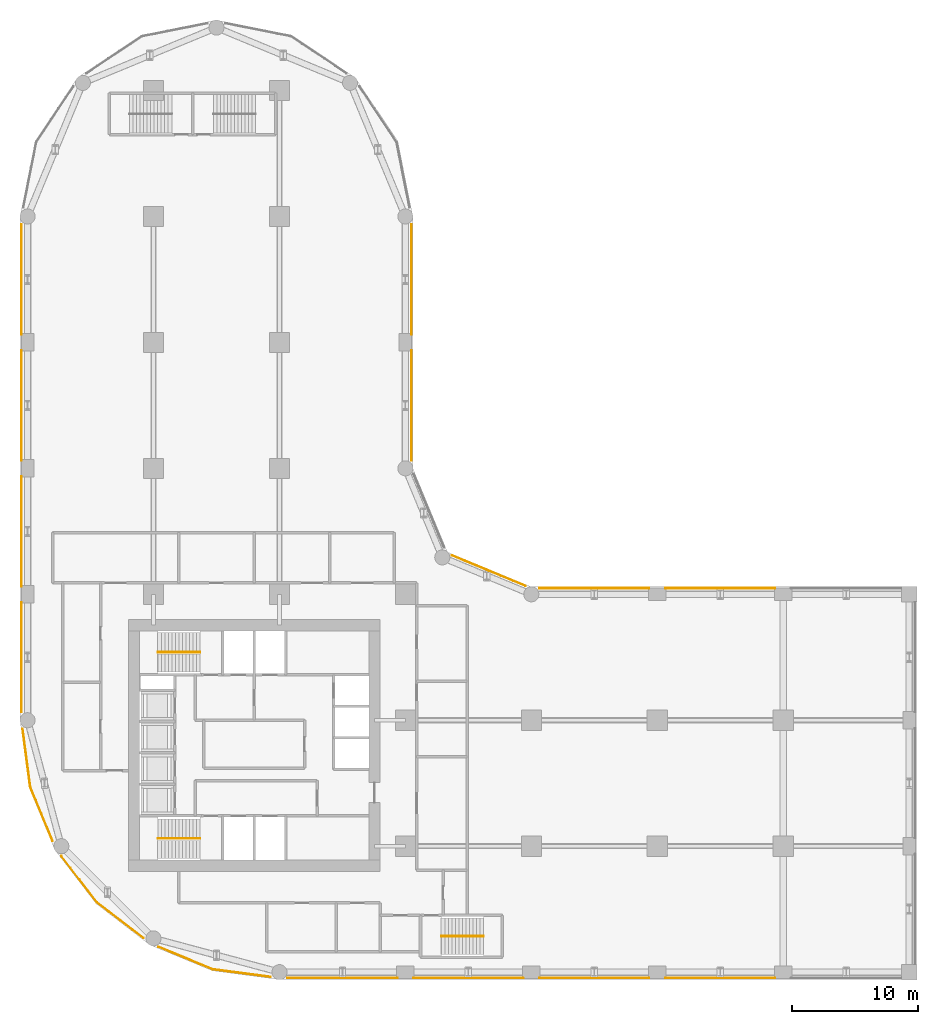
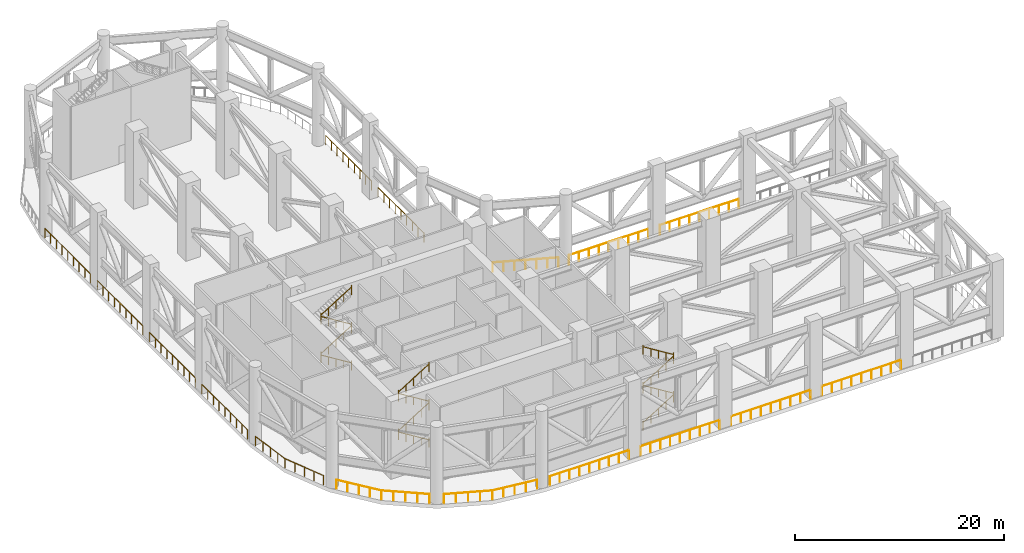
# One storey, part 12 of 14: 28 railings.
"""IFC4 building model written with IfcOpenShell, lengths in metres."""

from ifc_helpers import new_model, si_unit, direction, frame, origin, origin_2d, place, context, subcontext, project, spatial, circle, extrude, material, type_object, element, save


model = new_model("IFC4")

# Units and contexts
model_context = context("Model", 3, precision=1e-05, world=origin(), true_north=direction((0.0, 1.0)))
body_context = subcontext(model_context, "Body", "Model", "MODEL_VIEW")
ifc_project = project(units=[si_unit("LENGTHUNIT", "METRE"), si_unit("AREAUNIT", "SQUARE_METRE"), si_unit("VOLUMEUNIT", "CUBIC_METRE"), si_unit("PLANEANGLEUNIT", "RADIAN"), si_unit("MASSUNIT", "GRAM", prefix="KILO")], contexts=[model_context])

# Site, building, storey
site_placement = place(None, origin())
site = spatial("IfcSite", under=ifc_project, at=site_placement, CompositionType="ELEMENT")
building_placement = place(site_placement, origin())
building = spatial("IfcBuilding", under=site, at=building_placement, Name="Qaws Garden Tower", CompositionType="ELEMENT")
storey_placement = place(building_placement, frame((0.0, 0.0, 117.300048828125)))
storey = spatial("IfcBuildingStorey", under=building, at=storey_placement, Name="L29", CompositionType="ELEMENT", Elevation=117.300048828125)

# Railings
ifc_material_1 = material(Name="Steel S355", Category="steel")
railing_type_1 = type_object("IfcRailingType", Name="Guard steel balustrade 1100", PredefinedType="GUARDRAIL", material=ifc_material_1)
for number, where, name in (
    (1, (29.361083984375, -0.47998046875, 0.0), "Wind floor edge guard"),
    (2, (39.361083984375, -0.47998046875, 0.0), "Wind floor edge guard"),
    (3, (49.361083984375, -0.47998046875, 0.0), "Wind floor edge guard"),
    (4, (59.361083984375, -0.47998046875, 0.0), "Wind floor edge guard"),
):
    element("IfcRailing", number, at=place(storey_placement, frame(where)), inside=storey, type_object=railing_type_1, Name=name, PredefinedType="GUARDRAIL", context=body_context, shape_type="SweptSolid", body=[
        extrude(circle(Radius=0.02392578125, at=origin_2d()), frame((0.0, 0.0, 1.076171875), z_axis=(-1.0, 0.0, 0.0), x_axis=(0.0, -1.0, 0.0)), (0.0, 0.0, 1.0), 8.72216796875),
        extrude(circle(Radius=0.02099609375, at=origin_2d()), origin(), (0.0, 0.0, 1.0), 1.052001953125),
        extrude(circle(Radius=0.02099609375, at=origin_2d()), frame((-1.09033203125, 0.0, 0.0)), (0.0, 0.0, 1.0), 1.052001953125),
        extrude(circle(Radius=0.02099609375, at=origin_2d()), frame((-2.1806640625, 0.0, 0.0)), (0.0, 0.0, 1.0), 1.052001953125),
        extrude(circle(Radius=0.02099609375, at=origin_2d()), frame((-3.270751953125, 0.0, 0.0)), (0.0, 0.0, 1.0), 1.052001953125),
        extrude(circle(Radius=0.02099609375, at=origin_2d()), frame((-4.361083984375, 0.0, 0.0)), (0.0, 0.0, 1.0), 1.052001953125),
        extrude(circle(Radius=0.02099609375, at=origin_2d()), frame((-5.451416015625, 0.0, 0.0)), (0.0, 0.0, 1.0), 1.052001953125),
        extrude(circle(Radius=0.02099609375, at=origin_2d()), frame((-6.54150390625, 0.0, 0.0)), (0.0, 0.0, 1.0), 1.052001953125),
        extrude(circle(Radius=0.02099609375, at=origin_2d()), frame((-7.6318359375, 0.0, 0.0)), (0.0, 0.0, 1.0), 1.052001953125),
        extrude(circle(Radius=0.02099609375, at=origin_2d()), frame((-8.72216796875, 0.0, 0.0)), (0.0, 0.0, 1.0), 1.052001953125),
    ])
railing_1_placement = place(storey_placement, frame((19.30029296875, -0.38671875, 0.0)))
element("IfcRailing", 5, at=railing_1_placement, inside=storey, type_object=railing_type_1, Name="Wind floor edge guard", PredefinedType="GUARDRAIL", context=body_context, shape_type="SweptSolid", body=[
    extrude(circle(Radius=0.02392578125, at=origin_2d()), frame((0.0, 0.0, 1.076171875), z_axis=(-0.991450713576, 0.130481732629, 0.0), x_axis=(-0.130481732629, -0.991450713576, 0.0)), (0.0, 0.0, 1.0), 4.64013671875),
    extrude(circle(Radius=0.02392578125, at=origin_2d()), frame((-4.6005859375, 0.60546875, 1.076171875), z_axis=(-0.923868718314, 0.382709539103, 0.0), x_axis=(-0.382709539103, -0.923868718314, 0.0)), (0.0, 0.0, 1.0), 4.640869140625),
    extrude(circle(Radius=0.02099609375, at=origin_2d()), origin(), (0.0, 0.0, 1.0), 1.052001953125),
    extrude(circle(Radius=0.02099609375, at=origin_2d()), frame((-1.150146484375, 0.1513671875, 0.0)), (0.0, 0.0, 1.0), 1.052001953125),
    extrude(circle(Radius=0.02099609375, at=origin_2d()), frame((-2.30029296875, 0.302734375, 0.0)), (0.0, 0.0, 1.0), 1.052001953125),
    extrude(circle(Radius=0.02099609375, at=origin_2d()), frame((-3.450439453125, 0.4541015625, 0.0)), (0.0, 0.0, 1.0), 1.052001953125),
    extrude(circle(Radius=0.02099609375, at=origin_2d()), frame((-4.6005859375, 0.60546875, 0.0)), (0.0, 0.0, 1.0), 1.052001953125),
    extrude(circle(Radius=0.02099609375, at=origin_2d()), frame((-5.67236328125, 1.049560546875, 0.0)), (0.0, 0.0, 1.0), 1.052001953125),
    extrude(circle(Radius=0.02099609375, at=origin_2d()), frame((-6.744384765625, 1.49365234375, 0.0)), (0.0, 0.0, 1.0), 1.052001953125),
    extrude(circle(Radius=0.02099609375, at=origin_2d()), frame((-7.81640625, 1.9375, 0.0)), (0.0, 0.0, 1.0), 1.052001953125),
    extrude(circle(Radius=0.02099609375, at=origin_2d()), frame((-8.88818359375, 2.381591796875, 0.0)), (0.0, 0.0, 1.0), 1.052001953125),
])
railing_2_placement = place(storey_placement, frame((9.20068359375, 2.694091796875, 0.0)))
element("IfcRailing", 6, at=railing_2_placement, inside=storey, type_object=railing_type_1, Name="Wind floor edge guard", PredefinedType="GUARDRAIL", context=body_context, shape_type="SweptSolid", body=[
    extrude(circle(Radius=0.02392578125, at=origin_2d()), frame((0.0, 0.0, 1.076171875), z_axis=(-0.79331582627, 0.608810315114, 0.0), x_axis=(-0.608810315114, -0.79331582627, 0.0)), (0.0, 0.0, 1.0), 4.640625),
    extrude(circle(Radius=0.02392578125, at=origin_2d()), frame((-3.681396484375, 2.8251953125, 1.076171875), z_axis=(-0.608810315114, 0.79331582627, 0.0), x_axis=(-0.79331582627, -0.608810315114, 0.0)), (0.0, 0.0, 1.0), 4.640625),
    extrude(circle(Radius=0.02099609375, at=origin_2d()), origin(), (0.0, 0.0, 1.0), 1.052001953125),
    extrude(circle(Radius=0.02099609375, at=origin_2d()), frame((-0.92041015625, 0.706298828125, 0.0)), (0.0, 0.0, 1.0), 1.052001953125),
    extrude(circle(Radius=0.02099609375, at=origin_2d()), frame((-1.8408203125, 1.41259765625, 0.0)), (0.0, 0.0, 1.0), 1.052001953125),
    extrude(circle(Radius=0.02099609375, at=origin_2d()), frame((-2.760986328125, 2.118896484375, 0.0)), (0.0, 0.0, 1.0), 1.052001953125),
    extrude(circle(Radius=0.02099609375, at=origin_2d()), frame((-3.681396484375, 2.8251953125, 0.0)), (0.0, 0.0, 1.0), 1.052001953125),
    extrude(circle(Radius=0.02099609375, at=origin_2d()), frame((-4.3876953125, 3.74560546875, 0.0)), (0.0, 0.0, 1.0), 1.052001953125),
    extrude(circle(Radius=0.02099609375, at=origin_2d()), frame((-5.093994140625, 4.666015625, 0.0)), (0.0, 0.0, 1.0), 1.052001953125),
    extrude(circle(Radius=0.02099609375, at=origin_2d()), frame((-5.80029296875, 5.586181640625, 0.0)), (0.0, 0.0, 1.0), 1.052001953125),
    extrude(circle(Radius=0.02099609375, at=origin_2d()), frame((-6.506591796875, 6.506591796875, 0.0)), (0.0, 0.0, 1.0), 1.052001953125),
])
railing_3_placement = place(storey_placement, frame((1.994873046875, 10.412109375, 0.0)))
element("IfcRailing", 7, at=railing_3_placement, inside=storey, type_object=railing_type_1, Name="Wind floor edge guard", PredefinedType="GUARDRAIL", context=body_context, shape_type="SweptSolid", body=[
    extrude(circle(Radius=0.02392578125, at=origin_2d()), frame((0.0, 0.0, 1.076171875), z_axis=(-0.382709539103, 0.923868718314, 0.0), x_axis=(-0.923868718314, -0.382709539103, 0.0)), (0.0, 0.0, 1.0), 4.640869140625),
    extrude(circle(Radius=0.02392578125, at=origin_2d()), frame((-1.776123046875, 4.28759765625, 1.076171875), z_axis=(-0.130481732629, 0.991450713576, 0.0), x_axis=(-0.991450713576, -0.130481732629, 0.0)), (0.0, 0.0, 1.0), 4.64013671875),
    extrude(circle(Radius=0.02099609375, at=origin_2d()), origin(), (0.0, 0.0, 1.0), 1.052001953125),
    extrude(circle(Radius=0.02099609375, at=origin_2d()), frame((-0.444091796875, 1.07177734375, 0.0)), (0.0, 0.0, 1.0), 1.052001953125),
    extrude(circle(Radius=0.02099609375, at=origin_2d()), frame((-0.88818359375, 2.143798828125, 0.0)), (0.0, 0.0, 1.0), 1.052001953125),
    extrude(circle(Radius=0.02099609375, at=origin_2d()), frame((-1.33203125, 3.2158203125, 0.0)), (0.0, 0.0, 1.0), 1.052001953125),
    extrude(circle(Radius=0.02099609375, at=origin_2d()), frame((-1.776123046875, 4.28759765625, 0.0)), (0.0, 0.0, 1.0), 1.052001953125),
    extrude(circle(Radius=0.02099609375, at=origin_2d()), frame((-1.927490234375, 5.437744140625, 0.0)), (0.0, 0.0, 1.0), 1.052001953125),
    extrude(circle(Radius=0.02099609375, at=origin_2d()), frame((-2.078857421875, 6.587890625, 0.0)), (0.0, 0.0, 1.0), 1.052001953125),
    extrude(circle(Radius=0.02099609375, at=origin_2d()), frame((-2.230224609375, 7.738037109375, 0.0)), (0.0, 0.0, 1.0), 1.052001953125),
    extrude(circle(Radius=0.02099609375, at=origin_2d()), frame((-2.381591796875, 8.88818359375, 0.0)), (0.0, 0.0, 1.0), 1.052001953125),
])
railing_4_placement = place(storey_placement, frame((-0.47998046875, 20.638916015625, 0.0)))
element("IfcRailing", 8, at=railing_4_placement, inside=storey, type_object=railing_type_1, Name="Wind floor edge guard", PredefinedType="GUARDRAIL", context=body_context, shape_type="SweptSolid", body=[
    extrude(circle(Radius=0.02392578125, at=origin_2d()), frame((0.0, 0.0, 1.076171875), z_axis=(0.0, 1.0, 0.0), x_axis=(-1.0, 0.0, 0.0)), (0.0, 0.0, 1.0), 8.72216796875),
    extrude(circle(Radius=0.02099609375, at=origin_2d()), origin(), (0.0, 0.0, 1.0), 1.052001953125),
    extrude(circle(Radius=0.02099609375, at=origin_2d()), frame((0.0, 1.09033203125, 0.0)), (0.0, 0.0, 1.0), 1.052001953125),
    extrude(circle(Radius=0.02099609375, at=origin_2d()), frame((0.0, 2.1806640625, 0.0)), (0.0, 0.0, 1.0), 1.052001953125),
    extrude(circle(Radius=0.02099609375, at=origin_2d()), frame((0.0, 3.270751953125, 0.0)), (0.0, 0.0, 1.0), 1.052001953125),
    extrude(circle(Radius=0.02099609375, at=origin_2d()), frame((0.0, 4.361083984375, 0.0)), (0.0, 0.0, 1.0), 1.052001953125),
    extrude(circle(Radius=0.02099609375, at=origin_2d()), frame((0.0, 5.451416015625, 0.0)), (0.0, 0.0, 1.0), 1.052001953125),
    extrude(circle(Radius=0.02099609375, at=origin_2d()), frame((0.0, 6.54150390625, 0.0)), (0.0, 0.0, 1.0), 1.052001953125),
    extrude(circle(Radius=0.02099609375, at=origin_2d()), frame((0.0, 7.6318359375, 0.0)), (0.0, 0.0, 1.0), 1.052001953125),
    extrude(circle(Radius=0.02099609375, at=origin_2d()), frame((0.0, 8.72216796875, 0.0)), (0.0, 0.0, 1.0), 1.052001953125),
])
for number, where, name in (
    (9, (40.638916015625, 30.47998046875, 0.0), "Wind floor edge guard"),
    (10, (50.638916015625, 30.47998046875, 0.0), "Wind floor edge guard"),
):
    element("IfcRailing", number, at=place(storey_placement, frame(where)), inside=storey, type_object=railing_type_1, Name=name, PredefinedType="GUARDRAIL", context=body_context, shape_type="SweptSolid", body=[
        extrude(circle(Radius=0.02392578125, at=origin_2d()), frame((0.0, 0.0, 1.076171875), z_axis=(1.0, 0.0, 0.0), x_axis=(0.0, 1.0, 0.0)), (0.0, 0.0, 1.0), 8.72216796875),
        extrude(circle(Radius=0.02099609375, at=origin_2d()), origin(), (0.0, 0.0, 1.0), 1.052001953125),
        extrude(circle(Radius=0.02099609375, at=origin_2d()), frame((1.09033203125, 0.0, 0.0)), (0.0, 0.0, 1.0), 1.052001953125),
        extrude(circle(Radius=0.02099609375, at=origin_2d()), frame((2.1806640625, 0.0, 0.0)), (0.0, 0.0, 1.0), 1.052001953125),
        extrude(circle(Radius=0.02099609375, at=origin_2d()), frame((3.270751953125, 0.0, 0.0)), (0.0, 0.0, 1.0), 1.052001953125),
        extrude(circle(Radius=0.02099609375, at=origin_2d()), frame((4.361083984375, 0.0, 0.0)), (0.0, 0.0, 1.0), 1.052001953125),
        extrude(circle(Radius=0.02099609375, at=origin_2d()), frame((5.451416015625, 0.0, 0.0)), (0.0, 0.0, 1.0), 1.052001953125),
        extrude(circle(Radius=0.02099609375, at=origin_2d()), frame((6.54150390625, 0.0, 0.0)), (0.0, 0.0, 1.0), 1.052001953125),
        extrude(circle(Radius=0.02099609375, at=origin_2d()), frame((7.6318359375, 0.0, 0.0)), (0.0, 0.0, 1.0), 1.052001953125),
        extrude(circle(Radius=0.02099609375, at=origin_2d()), frame((8.72216796875, 0.0, 0.0)), (0.0, 0.0, 1.0), 1.052001953125),
    ])
railing_5_placement = place(storey_placement, frame((-0.47998046875, 30.638916015625, 0.0)))
element("IfcRailing", 11, at=railing_5_placement, inside=storey, type_object=railing_type_1, Name="Wind floor edge guard", PredefinedType="GUARDRAIL", context=body_context, shape_type="SweptSolid", body=[
    extrude(circle(Radius=0.02392578125, at=origin_2d()), frame((0.0, 0.0, 1.076171875), z_axis=(0.0, 1.0, 0.0), x_axis=(-1.0, 0.0, 0.0)), (0.0, 0.0, 1.0), 8.72216796875),
    extrude(circle(Radius=0.02099609375, at=origin_2d()), origin(), (0.0, 0.0, 1.0), 1.052001953125),
    extrude(circle(Radius=0.02099609375, at=origin_2d()), frame((0.0, 1.09033203125, 0.0)), (0.0, 0.0, 1.0), 1.052001953125),
    extrude(circle(Radius=0.02099609375, at=origin_2d()), frame((0.0, 2.1806640625, 0.0)), (0.0, 0.0, 1.0), 1.052001953125),
    extrude(circle(Radius=0.02099609375, at=origin_2d()), frame((0.0, 3.270751953125, 0.0)), (0.0, 0.0, 1.0), 1.052001953125),
    extrude(circle(Radius=0.02099609375, at=origin_2d()), frame((0.0, 4.361083984375, 0.0)), (0.0, 0.0, 1.0), 1.052001953125),
    extrude(circle(Radius=0.02099609375, at=origin_2d()), frame((0.0, 5.451416015625, 0.0)), (0.0, 0.0, 1.0), 1.052001953125),
    extrude(circle(Radius=0.02099609375, at=origin_2d()), frame((0.0, 6.54150390625, 0.0)), (0.0, 0.0, 1.0), 1.052001953125),
    extrude(circle(Radius=0.02099609375, at=origin_2d()), frame((0.0, 7.6318359375, 0.0)), (0.0, 0.0, 1.0), 1.052001953125),
    extrude(circle(Radius=0.02099609375, at=origin_2d()), frame((0.0, 8.72216796875, 0.0)), (0.0, 0.0, 1.0), 1.052001953125),
])
railing_6_placement = place(storey_placement, frame((33.71533203125, 33.0732421875, 0.0)))
element("IfcRailing", 12, at=railing_6_placement, inside=storey, type_object=railing_type_1, Name="Wind floor edge guard", PredefinedType="GUARDRAIL", context=body_context, shape_type="SweptSolid", body=[
    extrude(circle(Radius=0.02392578125, at=origin_2d()), frame((0.0, 0.0, 1.076171875), z_axis=(0.923888593297, -0.382661556961, 0.0), x_axis=(0.382661556961, 0.923888593297, 0.0)), (0.0, 0.0, 1.0), 6.311279296875),
    extrude(circle(Radius=0.02099609375, at=origin_2d()), origin(), (0.0, 0.0, 1.0), 1.052001953125),
    extrude(circle(Radius=0.02099609375, at=origin_2d()), frame((0.9716796875, -0.402587890625, 0.0)), (0.0, 0.0, 1.0), 1.052001953125),
    extrude(circle(Radius=0.02099609375, at=origin_2d()), frame((1.943603515625, -0.804931640625, 0.0)), (0.0, 0.0, 1.0), 1.052001953125),
    extrude(circle(Radius=0.02099609375, at=origin_2d()), frame((2.91552734375, -1.20751953125, 0.0)), (0.0, 0.0, 1.0), 1.052001953125),
    extrude(circle(Radius=0.02099609375, at=origin_2d()), frame((3.88720703125, -1.610107421875, 0.0)), (0.0, 0.0, 1.0), 1.052001953125),
    extrude(circle(Radius=0.02099609375, at=origin_2d()), frame((4.85888671875, -2.012451171875, 0.0)), (0.0, 0.0, 1.0), 1.052001953125),
    extrude(circle(Radius=0.02099609375, at=origin_2d()), frame((5.830810546875, -2.4150390625, 0.0)), (0.0, 0.0, 1.0), 1.052001953125),
])
railing_7_placement = place(storey_placement, frame((-0.47998046875, 40.638916015625, 0.0)))
element("IfcRailing", 13, at=railing_7_placement, inside=storey, type_object=railing_type_1, Name="Wind floor edge guard", PredefinedType="GUARDRAIL", context=body_context, shape_type="SweptSolid", body=[
    extrude(circle(Radius=0.02392578125, at=origin_2d()), frame((0.0, 0.0, 1.076171875), z_axis=(0.0, 1.0, 0.0), x_axis=(-1.0, 0.0, 0.0)), (0.0, 0.0, 1.0), 8.72216796875),
    extrude(circle(Radius=0.02099609375, at=origin_2d()), origin(), (0.0, 0.0, 1.0), 1.052001953125),
    extrude(circle(Radius=0.02099609375, at=origin_2d()), frame((0.0, 1.09033203125, 0.0)), (0.0, 0.0, 1.0), 1.052001953125),
    extrude(circle(Radius=0.02099609375, at=origin_2d()), frame((0.0, 2.1806640625, 0.0)), (0.0, 0.0, 1.0), 1.052001953125),
    extrude(circle(Radius=0.02099609375, at=origin_2d()), frame((0.0, 3.270751953125, 0.0)), (0.0, 0.0, 1.0), 1.052001953125),
    extrude(circle(Radius=0.02099609375, at=origin_2d()), frame((0.0, 4.361083984375, 0.0)), (0.0, 0.0, 1.0), 1.052001953125),
    extrude(circle(Radius=0.02099609375, at=origin_2d()), frame((0.0, 5.451416015625, 0.0)), (0.0, 0.0, 1.0), 1.052001953125),
    extrude(circle(Radius=0.02099609375, at=origin_2d()), frame((0.0, 6.54150390625, 0.0)), (0.0, 0.0, 1.0), 1.052001953125),
    extrude(circle(Radius=0.02099609375, at=origin_2d()), frame((0.0, 7.6318359375, 0.0)), (0.0, 0.0, 1.0), 1.052001953125),
    extrude(circle(Radius=0.02099609375, at=origin_2d()), frame((0.0, 8.72216796875, 0.0)), (0.0, 0.0, 1.0), 1.052001953125),
])
railing_8_placement = place(storey_placement, frame((30.47998046875, 49.361083984375, 0.0)))
element("IfcRailing", 14, at=railing_8_placement, inside=storey, type_object=railing_type_1, Name="Wind floor edge guard", PredefinedType="GUARDRAIL", context=body_context, shape_type="SweptSolid", body=[
    extrude(circle(Radius=0.02392578125, at=origin_2d()), frame((0.0, 0.0, 1.076171875), z_axis=(0.0, -1.0, 0.0), x_axis=(1.0, 0.0, 0.0)), (0.0, 0.0, 1.0), 8.72216796875),
    extrude(circle(Radius=0.02099609375, at=origin_2d()), origin(), (0.0, 0.0, 1.0), 1.052001953125),
    extrude(circle(Radius=0.02099609375, at=origin_2d()), frame((0.0, -1.09033203125, 0.0)), (0.0, 0.0, 1.0), 1.052001953125),
    extrude(circle(Radius=0.02099609375, at=origin_2d()), frame((0.0, -2.1806640625, 0.0)), (0.0, 0.0, 1.0), 1.052001953125),
    extrude(circle(Radius=0.02099609375, at=origin_2d()), frame((0.0, -3.270751953125, 0.0)), (0.0, 0.0, 1.0), 1.052001953125),
    extrude(circle(Radius=0.02099609375, at=origin_2d()), frame((0.0, -4.361083984375, 0.0)), (0.0, 0.0, 1.0), 1.052001953125),
    extrude(circle(Radius=0.02099609375, at=origin_2d()), frame((0.0, -5.451416015625, 0.0)), (0.0, 0.0, 1.0), 1.052001953125),
    extrude(circle(Radius=0.02099609375, at=origin_2d()), frame((0.0, -6.54150390625, 0.0)), (0.0, 0.0, 1.0), 1.052001953125),
    extrude(circle(Radius=0.02099609375, at=origin_2d()), frame((0.0, -7.6318359375, 0.0)), (0.0, 0.0, 1.0), 1.052001953125),
    extrude(circle(Radius=0.02099609375, at=origin_2d()), frame((0.0, -8.72216796875, 0.0)), (0.0, 0.0, 1.0), 1.052001953125),
])
railing_9_placement = place(storey_placement, frame((-0.47998046875, 50.638916015625, 0.0)))
element("IfcRailing", 15, at=railing_9_placement, inside=storey, type_object=railing_type_1, Name="Wind floor edge guard", PredefinedType="GUARDRAIL", context=body_context, shape_type="SweptSolid", body=[
    extrude(circle(Radius=0.02392578125, at=origin_2d()), frame((0.0, 0.0, 1.076171875), z_axis=(0.0, 1.0, 0.0), x_axis=(-1.0, 0.0, 0.0)), (0.0, 0.0, 1.0), 8.72216796875),
    extrude(circle(Radius=0.02099609375, at=origin_2d()), origin(), (0.0, 0.0, 1.0), 1.052001953125),
    extrude(circle(Radius=0.02099609375, at=origin_2d()), frame((0.0, 1.09033203125, 0.0)), (0.0, 0.0, 1.0), 1.052001953125),
    extrude(circle(Radius=0.02099609375, at=origin_2d()), frame((0.0, 2.1806640625, 0.0)), (0.0, 0.0, 1.0), 1.052001953125),
    extrude(circle(Radius=0.02099609375, at=origin_2d()), frame((0.0, 3.270751953125, 0.0)), (0.0, 0.0, 1.0), 1.052001953125),
    extrude(circle(Radius=0.02099609375, at=origin_2d()), frame((0.0, 4.361083984375, 0.0)), (0.0, 0.0, 1.0), 1.052001953125),
    extrude(circle(Radius=0.02099609375, at=origin_2d()), frame((0.0, 5.451416015625, 0.0)), (0.0, 0.0, 1.0), 1.052001953125),
    extrude(circle(Radius=0.02099609375, at=origin_2d()), frame((0.0, 6.54150390625, 0.0)), (0.0, 0.0, 1.0), 1.052001953125),
    extrude(circle(Radius=0.02099609375, at=origin_2d()), frame((0.0, 7.6318359375, 0.0)), (0.0, 0.0, 1.0), 1.052001953125),
    extrude(circle(Radius=0.02099609375, at=origin_2d()), frame((0.0, 8.72216796875, 0.0)), (0.0, 0.0, 1.0), 1.052001953125),
])
railing_10_placement = place(storey_placement, frame((30.47998046875, 59.361083984375, 0.0)))
element("IfcRailing", 16, at=railing_10_placement, inside=storey, type_object=railing_type_1, Name="Wind floor edge guard", PredefinedType="GUARDRAIL", context=body_context, shape_type="SweptSolid", body=[
    extrude(circle(Radius=0.02392578125, at=origin_2d()), frame((0.0, 0.0, 1.076171875), z_axis=(0.0, -1.0, 0.0), x_axis=(1.0, 0.0, 0.0)), (0.0, 0.0, 1.0), 8.72216796875),
    extrude(circle(Radius=0.02099609375, at=origin_2d()), origin(), (0.0, 0.0, 1.0), 1.052001953125),
    extrude(circle(Radius=0.02099609375, at=origin_2d()), frame((0.0, -1.09033203125, 0.0)), (0.0, 0.0, 1.0), 1.052001953125),
    extrude(circle(Radius=0.02099609375, at=origin_2d()), frame((0.0, -2.1806640625, 0.0)), (0.0, 0.0, 1.0), 1.052001953125),
    extrude(circle(Radius=0.02099609375, at=origin_2d()), frame((0.0, -3.270751953125, 0.0)), (0.0, 0.0, 1.0), 1.052001953125),
    extrude(circle(Radius=0.02099609375, at=origin_2d()), frame((0.0, -4.361083984375, 0.0)), (0.0, 0.0, 1.0), 1.052001953125),
    extrude(circle(Radius=0.02099609375, at=origin_2d()), frame((0.0, -5.451416015625, 0.0)), (0.0, 0.0, 1.0), 1.052001953125),
    extrude(circle(Radius=0.02099609375, at=origin_2d()), frame((0.0, -6.54150390625, 0.0)), (0.0, 0.0, 1.0), 1.052001953125),
    extrude(circle(Radius=0.02099609375, at=origin_2d()), frame((0.0, -7.6318359375, 0.0)), (0.0, 0.0, 1.0), 1.052001953125),
    extrude(circle(Radius=0.02099609375, at=origin_2d()), frame((0.0, -8.72216796875, 0.0)), (0.0, 0.0, 1.0), 1.052001953125),
])
ifc_material_2 = material(Name="Steel S355", Category="steel")
railing_type_2 = type_object("IfcRailingType", Name="Stair handrail 900", PredefinedType="HANDRAIL", material=ifc_material_2)
railing_11_placement = place(storey_placement, frame((13.699951171875, 10.60009765625, 0.173095703125)))
element("IfcRailing", 17, at=railing_11_placement, inside=storey, type_object=railing_type_2, Name="Stair 1 handrail", PredefinedType="HANDRAIL", context=body_context, shape_type="SweptSolid", body=[
    extrude(circle(Radius=0.02392578125, at=origin_2d()), frame((0.0, 0.0, 0.8759765625), z_axis=(-0.850606129759, 0.0, 0.525803396734), x_axis=(0.0, -1.0, 0.0)), (0.0, 0.0, 1.0), 3.949951171875),
    extrude(circle(Radius=0.02099609375, at=origin_2d()), origin(), (0.0, 0.0, 1.0), 1.072998046875),
    extrude(circle(Radius=0.02099609375, at=origin_2d()), frame((-0.83984375, 0.0, 0.519287109375)), (0.0, 0.0, 1.0), 0.851806640625),
    extrude(circle(Radius=0.02099609375, at=origin_2d()), frame((-1.679931640625, 0.0, 1.03857421875)), (0.0, 0.0, 1.0), 0.851806640625),
    extrude(circle(Radius=0.02099609375, at=origin_2d()), frame((-2.52001953125, 0.0, 1.5576171875)), (0.0, 0.0, 1.0), 0.851806640625),
    extrude(circle(Radius=0.02099609375, at=origin_2d()), frame((-3.35986328125, 0.0, 2.076904296875)), (0.0, 0.0, 1.0), 1.072998046875),
])
railing_12_placement = place(storey_placement, frame((10.340087890625, 10.60009765625, 2.423095703125)))
element("IfcRailing", 18, at=railing_12_placement, inside=storey, type_object=railing_type_2, Name="Stair 1 handrail", PredefinedType="HANDRAIL", context=body_context, shape_type="SweptSolid", body=[
    extrude(circle(Radius=0.02392578125, at=origin_2d()), frame((0.0, 0.0, 0.8759765625), z_axis=(0.850606129759, 0.0, 0.525803396734), x_axis=(0.0, 1.0, 0.0)), (0.0, 0.0, 1.0), 3.949951171875),
    extrude(circle(Radius=0.02099609375, at=origin_2d()), origin(), (0.0, 0.0, 1.0), 1.072998046875),
    extrude(circle(Radius=0.02099609375, at=origin_2d()), frame((0.83984375, 0.0, 0.519287109375)), (0.0, 0.0, 1.0), 0.851806640625),
    extrude(circle(Radius=0.02099609375, at=origin_2d()), frame((1.679931640625, 0.0, 1.03857421875)), (0.0, 0.0, 1.0), 0.851806640625),
    extrude(circle(Radius=0.02099609375, at=origin_2d()), frame((2.52001953125, 0.0, 1.5576171875)), (0.0, 0.0, 1.0), 0.851806640625),
    extrude(circle(Radius=0.02099609375, at=origin_2d()), frame((3.35986328125, 0.0, 2.076904296875)), (0.0, 0.0, 1.0), 1.072998046875),
])
railing_13_placement = place(storey_placement, frame((13.699951171875, 10.60009765625, 4.673095703125)))
element("IfcRailing", 19, at=railing_13_placement, inside=storey, type_object=railing_type_2, Name="Stair 1 handrail", PredefinedType="HANDRAIL", context=body_context, shape_type="SweptSolid", body=[
    extrude(circle(Radius=0.02392578125, at=origin_2d()), frame((0.0, 0.0, 0.8759765625), z_axis=(-0.850606129759, 0.0, 0.525803396734), x_axis=(0.0, -1.0, 0.0)), (0.0, 0.0, 1.0), 3.949951171875),
    extrude(circle(Radius=0.02099609375, at=origin_2d()), origin(), (0.0, 0.0, 1.0), 1.072998046875),
    extrude(circle(Radius=0.02099609375, at=origin_2d()), frame((-0.83984375, 0.0, 0.519287109375)), (0.0, 0.0, 1.0), 0.851806640625),
    extrude(circle(Radius=0.02099609375, at=origin_2d()), frame((-1.679931640625, 0.0, 1.03857421875)), (0.0, 0.0, 1.0), 0.851806640625),
    extrude(circle(Radius=0.02099609375, at=origin_2d()), frame((-2.52001953125, 0.0, 1.5576171875)), (0.0, 0.0, 1.0), 0.851806640625),
    extrude(circle(Radius=0.02099609375, at=origin_2d()), frame((-3.35986328125, 0.0, 2.076904296875)), (0.0, 0.0, 1.0), 1.072998046875),
])
railing_14_placement = place(storey_placement, frame((10.340087890625, 10.60009765625, 6.923095703125)))
element("IfcRailing", 20, at=railing_14_placement, inside=storey, type_object=railing_type_2, Name="Stair 1 handrail", PredefinedType="HANDRAIL", context=body_context, shape_type="SweptSolid", body=[
    extrude(circle(Radius=0.02392578125, at=origin_2d()), frame((0.0, 0.0, 0.8759765625), z_axis=(0.850606129759, 0.0, 0.525803396734), x_axis=(0.0, 1.0, 0.0)), (0.0, 0.0, 1.0), 3.949951171875),
    extrude(circle(Radius=0.02099609375, at=origin_2d()), origin(), (0.0, 0.0, 1.0), 1.072998046875),
    extrude(circle(Radius=0.02099609375, at=origin_2d()), frame((0.83984375, 0.0, 0.519287109375)), (0.0, 0.0, 1.0), 0.851806640625),
    extrude(circle(Radius=0.02099609375, at=origin_2d()), frame((1.679931640625, 0.0, 1.03857421875)), (0.0, 0.0, 1.0), 0.851806640625),
    extrude(circle(Radius=0.02099609375, at=origin_2d()), frame((2.52001953125, 0.0, 1.5576171875)), (0.0, 0.0, 1.0), 0.851806640625),
    extrude(circle(Radius=0.02099609375, at=origin_2d()), frame((3.35986328125, 0.0, 2.076904296875)), (0.0, 0.0, 1.0), 1.072998046875),
])
railing_15_placement = place(storey_placement, frame((13.699951171875, 25.39990234375, 0.173095703125)))
element("IfcRailing", 21, at=railing_15_placement, inside=storey, type_object=railing_type_2, Name="Stair 4 handrail", PredefinedType="HANDRAIL", context=body_context, shape_type="SweptSolid", body=[
    extrude(circle(Radius=0.02392578125, at=origin_2d()), frame((0.0, 0.0, 0.8759765625), z_axis=(-0.850606129759, 0.0, 0.525803396734), x_axis=(0.0, -1.0, 0.0)), (0.0, 0.0, 1.0), 3.949951171875),
    extrude(circle(Radius=0.02099609375, at=origin_2d()), origin(), (0.0, 0.0, 1.0), 1.072998046875),
    extrude(circle(Radius=0.02099609375, at=origin_2d()), frame((-0.83984375, 0.0, 0.519287109375)), (0.0, 0.0, 1.0), 0.851806640625),
    extrude(circle(Radius=0.02099609375, at=origin_2d()), frame((-1.679931640625, 0.0, 1.03857421875)), (0.0, 0.0, 1.0), 0.851806640625),
    extrude(circle(Radius=0.02099609375, at=origin_2d()), frame((-2.52001953125, 0.0, 1.5576171875)), (0.0, 0.0, 1.0), 0.851806640625),
    extrude(circle(Radius=0.02099609375, at=origin_2d()), frame((-3.35986328125, 0.0, 2.076904296875)), (0.0, 0.0, 1.0), 1.072998046875),
])
railing_16_placement = place(storey_placement, frame((10.340087890625, 25.39990234375, 2.423095703125)))
element("IfcRailing", 22, at=railing_16_placement, inside=storey, type_object=railing_type_2, Name="Stair 4 handrail", PredefinedType="HANDRAIL", context=body_context, shape_type="SweptSolid", body=[
    extrude(circle(Radius=0.02392578125, at=origin_2d()), frame((0.0, 0.0, 0.8759765625), z_axis=(0.850606129759, 0.0, 0.525803396734), x_axis=(0.0, 1.0, 0.0)), (0.0, 0.0, 1.0), 3.949951171875),
    extrude(circle(Radius=0.02099609375, at=origin_2d()), origin(), (0.0, 0.0, 1.0), 1.072998046875),
    extrude(circle(Radius=0.02099609375, at=origin_2d()), frame((0.83984375, 0.0, 0.519287109375)), (0.0, 0.0, 1.0), 0.851806640625),
    extrude(circle(Radius=0.02099609375, at=origin_2d()), frame((1.679931640625, 0.0, 1.03857421875)), (0.0, 0.0, 1.0), 0.851806640625),
    extrude(circle(Radius=0.02099609375, at=origin_2d()), frame((2.52001953125, 0.0, 1.5576171875)), (0.0, 0.0, 1.0), 0.851806640625),
    extrude(circle(Radius=0.02099609375, at=origin_2d()), frame((3.35986328125, 0.0, 2.076904296875)), (0.0, 0.0, 1.0), 1.072998046875),
])
railing_17_placement = place(storey_placement, frame((13.699951171875, 25.39990234375, 4.673095703125)))
element("IfcRailing", 23, at=railing_17_placement, inside=storey, type_object=railing_type_2, Name="Stair 4 handrail", PredefinedType="HANDRAIL", context=body_context, shape_type="SweptSolid", body=[
    extrude(circle(Radius=0.02392578125, at=origin_2d()), frame((0.0, 0.0, 0.8759765625), z_axis=(-0.850606129759, 0.0, 0.525803396734), x_axis=(0.0, -1.0, 0.0)), (0.0, 0.0, 1.0), 3.949951171875),
    extrude(circle(Radius=0.02099609375, at=origin_2d()), origin(), (0.0, 0.0, 1.0), 1.072998046875),
    extrude(circle(Radius=0.02099609375, at=origin_2d()), frame((-0.83984375, 0.0, 0.519287109375)), (0.0, 0.0, 1.0), 0.851806640625),
    extrude(circle(Radius=0.02099609375, at=origin_2d()), frame((-1.679931640625, 0.0, 1.03857421875)), (0.0, 0.0, 1.0), 0.851806640625),
    extrude(circle(Radius=0.02099609375, at=origin_2d()), frame((-2.52001953125, 0.0, 1.5576171875)), (0.0, 0.0, 1.0), 0.851806640625),
    extrude(circle(Radius=0.02099609375, at=origin_2d()), frame((-3.35986328125, 0.0, 2.076904296875)), (0.0, 0.0, 1.0), 1.072998046875),
])
for number, where, name in (
    (24, (10.340087890625, 25.39990234375, 6.923095703125), "Stair 4 handrail"),
    (25, (32.85009765625, 2.85009765625, 0.173095703125), "Stair 5 handrail"),
):
    element("IfcRailing", number, at=place(storey_placement, frame(where)), inside=storey, type_object=railing_type_2, Name=name, PredefinedType="HANDRAIL", context=body_context, shape_type="SweptSolid", body=[
        extrude(circle(Radius=0.02392578125, at=origin_2d()), frame((0.0, 0.0, 0.8759765625), z_axis=(0.850606129759, 0.0, 0.525803396734), x_axis=(0.0, 1.0, 0.0)), (0.0, 0.0, 1.0), 3.949951171875),
        extrude(circle(Radius=0.02099609375, at=origin_2d()), origin(), (0.0, 0.0, 1.0), 1.072998046875),
        extrude(circle(Radius=0.02099609375, at=origin_2d()), frame((0.83984375, 0.0, 0.519287109375)), (0.0, 0.0, 1.0), 0.851806640625),
        extrude(circle(Radius=0.02099609375, at=origin_2d()), frame((1.679931640625, 0.0, 1.03857421875)), (0.0, 0.0, 1.0), 0.851806640625),
        extrude(circle(Radius=0.02099609375, at=origin_2d()), frame((2.52001953125, 0.0, 1.5576171875)), (0.0, 0.0, 1.0), 0.851806640625),
        extrude(circle(Radius=0.02099609375, at=origin_2d()), frame((3.35986328125, 0.0, 2.076904296875)), (0.0, 0.0, 1.0), 1.072998046875),
    ])
railing_18_placement = place(storey_placement, frame((36.2099609375, 2.85009765625, 2.423095703125)))
element("IfcRailing", 26, at=railing_18_placement, inside=storey, type_object=railing_type_2, Name="Stair 5 handrail", PredefinedType="HANDRAIL", context=body_context, shape_type="SweptSolid", body=[
    extrude(circle(Radius=0.02392578125, at=origin_2d()), frame((0.0, 0.0, 0.8759765625), z_axis=(-0.850606129759, 0.0, 0.525803396734), x_axis=(0.0, -1.0, 0.0)), (0.0, 0.0, 1.0), 3.949951171875),
    extrude(circle(Radius=0.02099609375, at=origin_2d()), origin(), (0.0, 0.0, 1.0), 1.072998046875),
    extrude(circle(Radius=0.02099609375, at=origin_2d()), frame((-0.83984375, 0.0, 0.519287109375)), (0.0, 0.0, 1.0), 0.851806640625),
    extrude(circle(Radius=0.02099609375, at=origin_2d()), frame((-1.679931640625, 0.0, 1.03857421875)), (0.0, 0.0, 1.0), 0.851806640625),
    extrude(circle(Radius=0.02099609375, at=origin_2d()), frame((-2.52001953125, 0.0, 1.5576171875)), (0.0, 0.0, 1.0), 0.851806640625),
    extrude(circle(Radius=0.02099609375, at=origin_2d()), frame((-3.35986328125, 0.0, 2.076904296875)), (0.0, 0.0, 1.0), 1.072998046875),
])
railing_19_placement = place(storey_placement, frame((32.85009765625, 2.85009765625, 4.673095703125)))
element("IfcRailing", 27, at=railing_19_placement, inside=storey, type_object=railing_type_2, Name="Stair 5 handrail", PredefinedType="HANDRAIL", context=body_context, shape_type="SweptSolid", body=[
    extrude(circle(Radius=0.02392578125, at=origin_2d()), frame((0.0, 0.0, 0.8759765625), z_axis=(0.850606129759, 0.0, 0.525803396734), x_axis=(0.0, 1.0, 0.0)), (0.0, 0.0, 1.0), 3.949951171875),
    extrude(circle(Radius=0.02099609375, at=origin_2d()), origin(), (0.0, 0.0, 1.0), 1.072998046875),
    extrude(circle(Radius=0.02099609375, at=origin_2d()), frame((0.83984375, 0.0, 0.519287109375)), (0.0, 0.0, 1.0), 0.851806640625),
    extrude(circle(Radius=0.02099609375, at=origin_2d()), frame((1.679931640625, 0.0, 1.03857421875)), (0.0, 0.0, 1.0), 0.851806640625),
    extrude(circle(Radius=0.02099609375, at=origin_2d()), frame((2.52001953125, 0.0, 1.5576171875)), (0.0, 0.0, 1.0), 0.851806640625),
    extrude(circle(Radius=0.02099609375, at=origin_2d()), frame((3.35986328125, 0.0, 2.076904296875)), (0.0, 0.0, 1.0), 1.072998046875),
])
railing_20_placement = place(storey_placement, frame((36.2099609375, 2.85009765625, 6.923095703125)))
element("IfcRailing", 28, at=railing_20_placement, inside=storey, type_object=railing_type_2, Name="Stair 5 handrail", PredefinedType="HANDRAIL", context=body_context, shape_type="SweptSolid", body=[
    extrude(circle(Radius=0.02392578125, at=origin_2d()), frame((0.0, 0.0, 0.8759765625), z_axis=(-0.850606129759, 0.0, 0.525803396734), x_axis=(0.0, -1.0, 0.0)), (0.0, 0.0, 1.0), 3.949951171875),
    extrude(circle(Radius=0.02099609375, at=origin_2d()), origin(), (0.0, 0.0, 1.0), 1.072998046875),
    extrude(circle(Radius=0.02099609375, at=origin_2d()), frame((-0.83984375, 0.0, 0.519287109375)), (0.0, 0.0, 1.0), 0.851806640625),
    extrude(circle(Radius=0.02099609375, at=origin_2d()), frame((-1.679931640625, 0.0, 1.03857421875)), (0.0, 0.0, 1.0), 0.851806640625),
    extrude(circle(Radius=0.02099609375, at=origin_2d()), frame((-2.52001953125, 0.0, 1.5576171875)), (0.0, 0.0, 1.0), 0.851806640625),
    extrude(circle(Radius=0.02099609375, at=origin_2d()), frame((-3.35986328125, 0.0, 2.076904296875)), (0.0, 0.0, 1.0), 1.072998046875),
])

save(model, "model.ifc")
